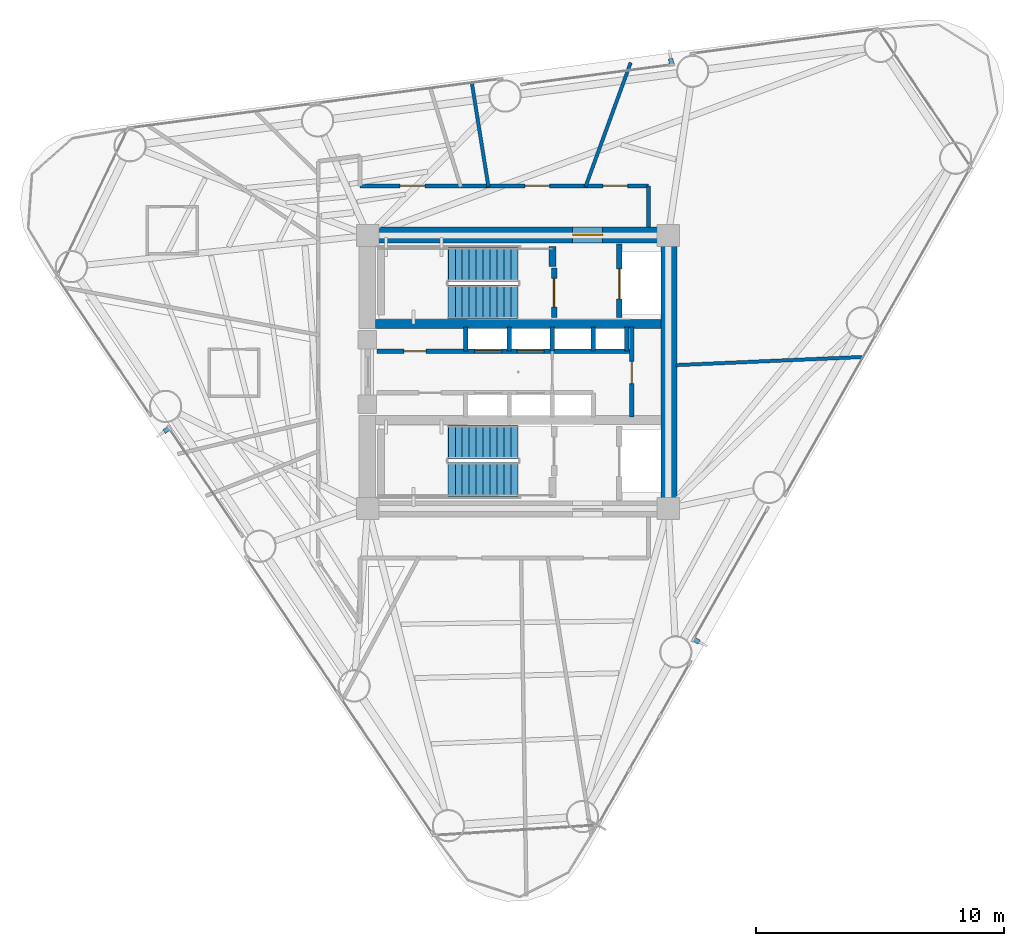
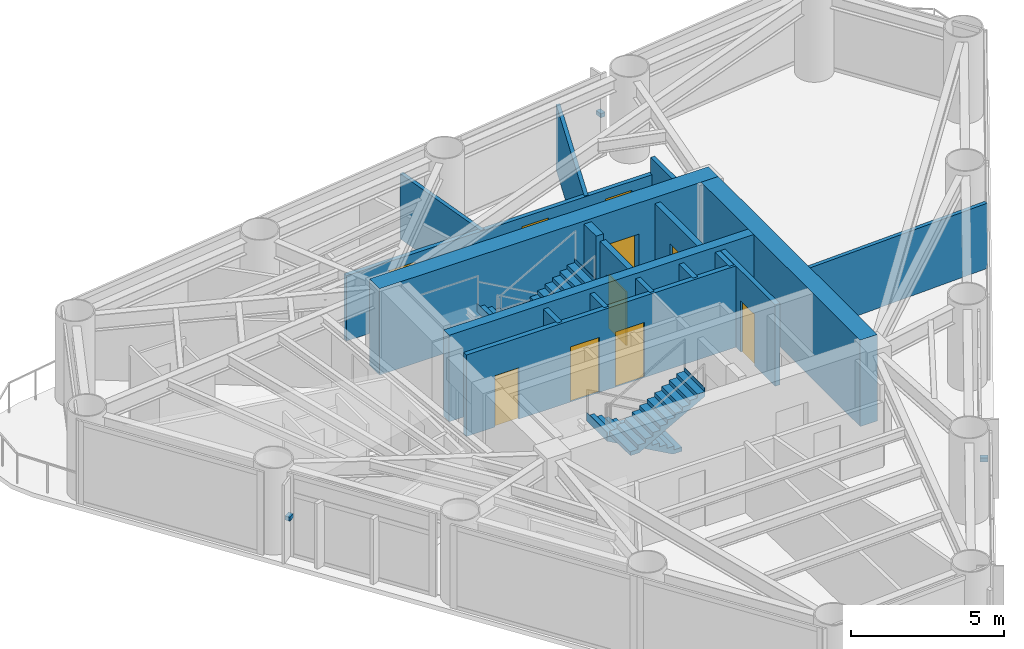
# One storey, part 6 of 10: 18 walls, 10 doors, 4 stair flights, 3 discrete accessories, 10 openings, 2 elements without a shape of their own.
"""IFC4 building model written with IfcOpenShell, lengths in metres."""

from ifc_helpers import new_model, si_unit, direction, frame, frame_2d, origin, origin_2d, place, context, subcontext, project, spatial, polyline, rectangle, outline, extrude, source, transform, mapped, material, layer, layer_set, type_object, element, fill, aggregate, save


model = new_model("IFC4")

# Units and contexts
model_context = context("Model", 3, precision=1e-05, world=origin(), true_north=direction((0.0, 1.0)))
body_context = subcontext(model_context, "Body", "Model", "MODEL_VIEW")
ifc_project = project(units=[si_unit("LENGTHUNIT", "METRE"), si_unit("AREAUNIT", "SQUARE_METRE"), si_unit("VOLUMEUNIT", "CUBIC_METRE"), si_unit("PLANEANGLEUNIT", "RADIAN"), si_unit("MASSUNIT", "GRAM", prefix="KILO")], contexts=[model_context])

# Site, building, storey
site_placement = place(None, origin())
site = spatial("IfcSite", under=ifc_project, at=site_placement, CompositionType="ELEMENT")
building_placement = place(site_placement, origin())
building = spatial("IfcBuilding", under=site, at=building_placement, Name="Yunling Apex Tower", CompositionType="ELEMENT")
storey_placement = place(building_placement, frame((0.0, 0.0, 158.75)))
storey = spatial("IfcBuildingStorey", under=building, at=storey_placement, Name="L38", CompositionType="ELEMENT", Elevation=158.75)

# Wall, opening, door
ifc_material_1 = material(Name="Concrete C50", Category="concrete")
ifc_layer_1 = layer(ifc_material_1, 0.64990234375)
ifc_layer_set_1 = layer_set([ifc_layer_1], Name="Concrete C50")
wall_type_1 = type_object("IfcWallType", Name="WL-COR-2", PredefinedType="SHEAR", material=ifc_layer_set_1)
wall_1_placement = place(storey_placement, frame((-6.39990234375, 5.52490234375, 0.0), z_axis=(0.0, 0.0, 1.0), x_axis=(1.0, 0.0, 0.0)))
wall_1 = element("IfcWall", 1, at=wall_1_placement, inside=storey, type_object=wall_type_1, Name="L38 North Core Shear Wall", PredefinedType="SHEAR", context=body_context, shape_type="SweptSolid", body=[
    extrude(rectangle(XDim=12.7998046875, YDim=0.64990234375, at=frame_2d((6.39990234375, 0.0))), origin(), (0.0, 0.0, 1.0), 3.449951171875),
])
opening_1_placement = place(wall_1_placement, frame((8.60009765625, 0.0, 0.0)))
opening_1 = element("IfcOpeningElement", 2, at=opening_1_placement, cuts=wall_1, Name="Opening DR-FFL-1", PredefinedType="OPENING", context=body_context, shape_type="SweptSolid", body=[
    extrude(rectangle(XDim=1.199951171875, YDim=2.199951171875, at=frame_2d((0.60009765625, 1.10009765625))), frame((0.0, 0.3349609375, 0.0), z_axis=(0.0, -1.0, 0.0), x_axis=(1.0, 0.0, 0.0)), (0.0, 0.0, 1.0), 0.669921875),
])
ifc_material_2 = material(Name="Steel Q355B", Category="steel")
door_type_1 = type_object("IfcDoorType", Name="DR-FFL-1", OperationType="NOTDEFINED", PredefinedType="DOOR", material=ifc_material_2)
door_1_placement = place(opening_1_placement, origin())
door_1 = element("IfcDoor", 3, at=door_1_placement, inside=storey, type_object=door_type_1, Name="L38 North Firefighting Lobby Door", OperationType="SINGLE_SWING_LEFT", OverallHeight=2.199951171875, OverallWidth=1.199951171875, PredefinedType="DOOR", context=body_context, shape_type="SweptSolid", body=[
    extrude(rectangle(XDim=1.199951171875, YDim=2.199951171875, at=frame_2d((0.60009765625, 1.10009765625))), frame((0.0, 0.02490234375, 0.0), z_axis=(0.0, -1.0, 0.0), x_axis=(1.0, 0.0, 0.0)), (0.0, 0.0, 1.0), 0.050048828125),
])
fill(opening_1, door_1)

# Walls
wall_2_placement = place(storey_placement, frame((6.074951171875, -5.199951171875, 0.0), z_axis=(0.0, 0.0, 1.0), x_axis=(0.0, 1.0, 0.0)))
element("IfcWall", 4, at=wall_2_placement, inside=storey, type_object=wall_type_1, Name="L38 East Core Shear Wall", PredefinedType="SHEAR", context=body_context, shape_type="SweptSolid", body=[
    extrude(rectangle(XDim=10.39990234375, YDim=0.64990234375, at=frame_2d((5.199951171875, 0.0))), origin(), (0.0, 0.0, 1.0), 3.449951171875),
])
ifc_material_3 = material(Name="Concrete C40", Category="concrete")
ifc_layer_2 = layer(ifc_material_3, 0.360107421875)
ifc_layer_set_2 = layer_set([ifc_layer_2], Name="Concrete C40")
wall_type_2 = type_object("IfcWallType", Name="WL-COR-4", PredefinedType="SHEAR", material=ifc_layer_set_2)
wall_3_placement = place(storey_placement, frame((-5.75, 1.93994140625, 0.0), z_axis=(0.0, 0.0, 1.0), x_axis=(1.0, 0.0, 0.0)))
element("IfcWall", 5, at=wall_3_placement, inside=storey, type_object=wall_type_2, Name="L38 North Internal Core Shear Wall", PredefinedType="SHEAR", context=body_context, shape_type="SweptSolid", body=[
    extrude(rectangle(XDim=11.5, YDim=0.360107421875, at=frame_2d((5.75, 0.0))), origin(), (0.0, 0.0, 1.0), 3.449951171875),
])
ifc_layer_3 = layer(ifc_material_3, 0.280029296875)
ifc_layer_set_3 = layer_set([ifc_layer_3], Name="Concrete C40")
wall_type_3 = type_object("IfcWallType", Name="WL-COR-8", PredefinedType="SHEAR", material=ifc_layer_set_3)
wall_4_placement = place(storey_placement, frame((1.3798828125, 4.25, 0.0), z_axis=(0.0, 0.0, 1.0), x_axis=(0.0, 1.0, 0.0)))
element("IfcWall", 6, at=wall_4_placement, inside=storey, type_object=wall_type_3, Name="L38 ST-1 East Landing Bearing Pier", PredefinedType="SHEAR", context=body_context, shape_type="SweptSolid", body=[
    extrude(rectangle(XDim=0.800048828125, YDim=0.280029296875, at=frame_2d((0.39990234375, 0.0))), origin(), (0.0, 0.0, 1.0), 3.449951171875),
])

# Wall, openings, doors
ifc_material_4 = material(Name="Gypsum board acoustic partition")
ifc_layer_4 = layer(ifc_material_4, 0.159912109375)
ifc_layer_set_4 = layer_set([ifc_layer_4], Name="Gypsum board acoustic partition")
wall_type_4 = type_object("IfcWallType", Name="WL-PRT-1", PredefinedType="PARTITIONING", material=ifc_layer_set_4)
wall_5_placement = place(storey_placement, frame((-6.360107421875, 7.5, 0.0), z_axis=(0.0, 0.0, 1.0), x_axis=(1.0, 0.0, 0.0)))
wall_5 = element("IfcWall", 7, at=wall_5_placement, inside=storey, type_object=wall_type_4, Name="WL-CORR-L38-07", PredefinedType="PARTITIONING", context=body_context, shape_type="SweptSolid", body=[
    extrude(rectangle(XDim=11.610107421875, YDim=0.159912109375, at=frame_2d((5.80517578125, 0.0))), origin(), (0.0, 0.0, 1.0), 2.60498046875),
])
opening_2_placement = place(wall_5_placement, frame((1.600341796875, 0.0, 0.0)))
opening_2 = element("IfcOpeningElement", 8, at=opening_2_placement, cuts=wall_5, Name="Opening DR-OFF-1", PredefinedType="OPENING", context=body_context, shape_type="SweptSolid", body=[
    extrude(rectangle(XDim=1.0, YDim=2.25, at=frame_2d((0.5, 1.125))), frame((0.0, 0.08984375, 0.0), z_axis=(0.0, -1.0, 0.0), x_axis=(1.0, 0.0, 0.0)), (0.0, 0.0, 1.0), 0.179931640625),
])
opening_3_placement = place(wall_5_placement, frame((6.63134765625, 0.0, 0.0)))
opening_3 = element("IfcOpeningElement", 9, at=opening_3_placement, cuts=wall_5, Name="Opening DR-OFF-1", PredefinedType="OPENING", context=body_context, shape_type="SweptSolid", body=[
    extrude(rectangle(XDim=1.0, YDim=2.25, at=frame_2d((0.5, 1.125))), frame((0.0, 0.08984375, 0.0), z_axis=(0.0, -1.0, 0.0), x_axis=(1.0, 0.0, 0.0)), (0.0, 0.0, 1.0), 0.179931640625),
])
opening_4_placement = place(wall_5_placement, frame((9.77294921875, 0.0, 0.0)))
opening_4 = element("IfcOpeningElement", 10, at=opening_4_placement, cuts=wall_5, Name="Opening DR-OFF-1", PredefinedType="OPENING", context=body_context, shape_type="SweptSolid", body=[
    extrude(rectangle(XDim=1.0, YDim=2.25, at=frame_2d((0.5, 1.125))), frame((0.0, 0.08984375, 0.0), z_axis=(0.0, -1.0, 0.0), x_axis=(1.0, 0.0, 0.0)), (0.0, 0.0, 1.0), 0.179931640625),
])
ifc_material_5 = material(Name="Bronze anodised aluminium", Category="aluminium")
door_type_2 = type_object("IfcDoorType", Name="DR-OFF-1", OperationType="NOTDEFINED", PredefinedType="DOOR", material=ifc_material_5)
door_2_placement = place(opening_2_placement, origin())
door_2 = element("IfcDoor", 11, at=door_2_placement, inside=storey, type_object=door_type_2, Name="L38 Club Lounge Door", OperationType="SINGLE_SWING_RIGHT", OverallHeight=2.25, OverallWidth=1.0, PredefinedType="DOOR", context=body_context, shape_type="SweptSolid", body=[
    extrude(rectangle(XDim=1.0, YDim=2.25, at=frame_2d((0.5, 1.125))), frame((0.0, 0.02490234375, 0.0), z_axis=(0.0, -1.0, 0.0), x_axis=(1.0, 0.0, 0.0)), (0.0, 0.0, 1.0), 0.050048828125),
])
fill(opening_2, door_2)
door_3_placement = place(opening_3_placement, origin())
door_3 = element("IfcDoor", 12, at=door_3_placement, inside=storey, type_object=door_type_2, Name="L38 Club Lounge Door", OperationType="SINGLE_SWING_LEFT", OverallHeight=2.25, OverallWidth=1.0, PredefinedType="DOOR", context=body_context, shape_type="SweptSolid", body=[
    extrude(rectangle(XDim=1.0, YDim=2.25, at=frame_2d((0.5, 1.125))), frame((0.0, 0.02490234375, 0.0), z_axis=(0.0, -1.0, 0.0), x_axis=(1.0, 0.0, 0.0)), (0.0, 0.0, 1.0), 0.050048828125),
])
fill(opening_3, door_3)
door_4_placement = place(opening_4_placement, origin())
door_4 = element("IfcDoor", 13, at=door_4_placement, inside=storey, type_object=door_type_2, Name="L38 Club Lounge Door", OperationType="SINGLE_SWING_RIGHT", OverallHeight=2.25, OverallWidth=1.0, PredefinedType="DOOR", context=body_context, shape_type="SweptSolid", body=[
    extrude(rectangle(XDim=1.0, YDim=2.25, at=frame_2d((0.5, 1.125))), frame((0.0, 0.02490234375, 0.0), z_axis=(0.0, -1.0, 0.0), x_axis=(1.0, 0.0, 0.0)), (0.0, 0.0, 1.0), 0.050048828125),
])
fill(opening_4, door_4)

# Walls
wall_6_placement = place(storey_placement, frame((5.25, 7.5, 0.0), z_axis=(0.0, 0.0, 1.0), x_axis=(0.0, -1.0, 0.0)))
element("IfcWall", 14, at=wall_6_placement, inside=storey, type_object=wall_type_4, Name="WL-CORR-L38-08", PredefinedType="PARTITIONING", context=body_context, shape_type="SweptSolid", body=[
    extrude(rectangle(XDim=1.64990234375, YDim=0.159912109375, at=frame_2d((0.824951171875, 0.0))), origin(), (0.0, 0.0, 1.0), 3.25),
])
ifc_layer_5 = layer(ifc_material_4, 0.139892578125)
ifc_layer_set_5 = layer_set([ifc_layer_5], Name="Gypsum board acoustic partition")
wall_type_5 = type_object("IfcWallType", Name="WL-PRT-2", PredefinedType="PARTITIONING", material=ifc_layer_set_5)
wall_7_placement = place(storey_placement, frame((6.360107421875, 0.277587890625, 0.0), z_axis=(0.0, 0.0, 1.0), x_axis=(0.999047543566, 0.043634913719, 0.0)))
element("IfcWall", 15, at=wall_7_placement, inside=storey, type_object=wall_type_5, Name="WL-RAD-L38-01", PredefinedType="PARTITIONING", context=body_context, shape_type="SweptSolid", body=[
    extrude(rectangle(XDim=7.5029296875, YDim=0.139892578125, at=frame_2d((3.75146484375, 0.0))), origin(), (0.0, 0.0, 1.0), 2.60498046875),
])
wall_8_placement = place(storey_placement, frame((2.715087890625, 7.4599609375, 0.0), z_axis=(0.0, 0.0, 1.0), x_axis=(0.342045165819, 0.939683512966, 0.0)))
element("IfcWall", 16, at=wall_8_placement, inside=storey, type_object=wall_type_5, Name="WL-RAD-L38-02", PredefinedType="PARTITIONING", context=body_context, shape_type="SweptSolid", body=[
    extrude(rectangle(XDim=5.3203125, YDim=0.139892578125, at=frame_2d((2.66015625, 0.0))), origin(), (0.0, 0.0, 1.0), 2.60498046875),
])
wall_9_placement = place(storey_placement, frame((-1.193603515625, 7.4599609375, 0.0), z_axis=(0.0, 0.0, 1.0), x_axis=(-0.157995028697, 0.987439907492, 0.0)))
element("IfcWall", 17, at=wall_9_placement, inside=storey, type_object=wall_type_5, Name="WL-RAD-L38-03", PredefinedType="PARTITIONING", context=body_context, shape_type="SweptSolid", body=[
    extrude(rectangle(XDim=4.2060546875, YDim=0.139892578125, at=frame_2d((2.10302734375, 0.0))), origin(), (0.0, 0.0, 1.0), 2.60498046875),
])

# Wall, opening, door
ifc_material_6 = material(Name="Autoclaved aerated concrete masonry", Category="masonry")
ifc_layer_6 = layer(ifc_material_6, 0.219970703125)
ifc_layer_set_6 = layer_set([ifc_layer_6], Name="Autoclaved aerated concrete masonry")
wall_type_6 = type_object("IfcWallType", Name="WL-SHF-1", PredefinedType="PLUMBINGWALL", material=ifc_layer_set_6)
wall_10_placement = place(storey_placement, frame((1.449951171875, 2.199951171875, 0.0), z_axis=(0.0, 0.0, 1.0), x_axis=(0.0, 1.0, 0.0)))
wall_10 = element("IfcWall", 18, at=wall_10_placement, inside=storey, type_object=wall_type_6, Name="WL-ST1-E-L38", PredefinedType="PLUMBINGWALL", context=body_context, shape_type="SweptSolid", body=[
    extrude(rectangle(XDim=1.97998046875, YDim=0.219970703125, at=frame_2d((0.989990234375, 0.0))), origin(), (0.0, 0.0, 1.0), 3.25),
])
opening_5_placement = place(wall_10_placement, frame((0.419921875, 0.0, 0.0)))
opening_5 = element("IfcOpeningElement", 19, at=opening_5_placement, cuts=wall_10, Name="Opening DR-ST-1", PredefinedType="OPENING", context=body_context, shape_type="SweptSolid", body=[
    extrude(rectangle(XDim=1.14990234375, YDim=2.14990234375, at=frame_2d((0.574951171875, 1.074951171875))), frame((0.0, 0.1201171875, 0.0), z_axis=(0.0, -1.0, 0.0), x_axis=(1.0, 0.0, 0.0)), (0.0, 0.0, 1.0), 0.239990234375),
])
door_type_3 = type_object("IfcDoorType", Name="DR-ST-1", OperationType="NOTDEFINED", PredefinedType="DOOR", material=ifc_material_2)
door_5_placement = place(opening_5_placement, origin())
door_5 = element("IfcDoor", 20, at=door_5_placement, inside=storey, type_object=door_type_3, Name="L38 Stair ST-1 Fire Door", OperationType="SINGLE_SWING_RIGHT", OverallHeight=2.14990234375, OverallWidth=1.14990234375, PredefinedType="DOOR", context=body_context, shape_type="SweptSolid", body=[
    extrude(rectangle(XDim=1.14990234375, YDim=2.14990234375, at=frame_2d((0.574951171875, 1.074951171875))), frame((0.0, 0.02490234375, 0.0), z_axis=(0.0, -1.0, 0.0), x_axis=(1.0, 0.0, 0.0)), (0.0, 0.0, 1.0), 0.050048828125),
])
fill(opening_5, door_5)

wall_11_placement = place(storey_placement, frame((4.080078125, 2.199951171875, 0.0), z_axis=(0.0, 0.0, 1.0), x_axis=(0.0, 1.0, 0.0)))
wall_11 = element("IfcWall", 21, at=wall_11_placement, inside=storey, type_object=wall_type_6, Name="WL-FFL1-W-L38", PredefinedType="PLUMBINGWALL", context=body_context, shape_type="SweptSolid", body=[
    extrude(rectangle(XDim=2.949951171875, YDim=0.219970703125, at=frame_2d((1.47509765625, 0.0))), origin(), (0.0, 0.0, 1.0), 3.25),
])
opening_6_placement = place(wall_11_placement, frame((0.75, 0.0, 0.0)))
opening_6 = element("IfcOpeningElement", 22, at=opening_6_placement, cuts=wall_11, Name="Opening LD-FFL-1", PredefinedType="OPENING", context=body_context, shape_type="SweptSolid", body=[
    extrude(rectangle(XDim=1.199951171875, YDim=2.25, at=frame_2d((0.60009765625, 1.125))), frame((0.0, 0.1201171875, 0.0), z_axis=(0.0, -1.0, 0.0), x_axis=(1.0, 0.0, 0.0)), (0.0, 0.0, 1.0), 0.239990234375),
])
door_type_4 = type_object("IfcDoorType", Name="LD-FFL-1", OperationType="DOUBLE_DOOR_SLIDING", PredefinedType="DOOR", material=ifc_material_2)
door_6_placement = place(opening_6_placement, origin())
door_6 = element("IfcDoor", 23, at=door_6_placement, inside=storey, type_object=door_type_4, Name="L38 Lift FFL-1 Landing Door", OperationType="DOUBLE_DOOR_SLIDING", OverallHeight=2.25, OverallWidth=1.199951171875, PredefinedType="DOOR", context=body_context, shape_type="SweptSolid", body=[
    extrude(rectangle(XDim=1.199951171875, YDim=2.25, at=frame_2d((0.60009765625, 1.125))), frame((0.0, 0.02490234375, 0.0), z_axis=(0.0, -1.0, 0.0), x_axis=(1.0, 0.0, 0.0)), (0.0, 0.0, 1.0), 0.050048828125),
])
fill(opening_6, door_6)

# Walls
ifc_layer_7 = layer(ifc_material_6, 0.179931640625)
ifc_layer_set_7 = layer_set([ifc_layer_7], Name="Autoclaved aerated concrete masonry")
wall_type_7 = type_object("IfcWallType", Name="WL-SHF-2", PredefinedType="PLUMBINGWALL", material=ifc_layer_set_7)
for number, where, z_axis, x_axis, name in (
    (24, (-2.10009765625, 0.840087890625, 0.0), (0.0, 0.0, 1.0), (0.0, 1.0, 0.0), "WL-BNK-LM-N-L38"),
    (25, (-0.35009765625, 0.840087890625, 0.0), (0.0, 0.0, 1.0), (0.0, 1.0, 0.0), "WL-DIV-M12-L38"),
    (26, (1.3798828125, 0.840087890625, 0.0), (0.0, 0.0, 1.0), (0.0, 1.0, 0.0), "WL-BNK-MH-N-L38"),
    (27, (3.02001953125, 0.840087890625, 0.0), (0.0, 0.0, 1.0), (0.0, 1.0, 0.0), "WL-DIV-H13-L38"),
    (28, (4.3798828125, 0.840087890625, 0.0), (0.0, 0.0, 1.0), (0.0, 1.0, 0.0), "WL-END-H3E-L38"),
):
    element("IfcWall", number, at=place(storey_placement, frame(where, z_axis=z_axis, x_axis=x_axis)), inside=storey, type_object=wall_type_7, Name=name, PredefinedType="PLUMBINGWALL", context=body_context, shape_type="SweptSolid", body=[
        extrude(rectangle(XDim=0.97998046875, YDim=0.179931640625, at=frame_2d((0.489990234375, 0.0))), origin(), (0.0, 0.0, 1.0), 3.25),
    ])

# Wall, opening, door
wall_12_placement = place(storey_placement, frame((4.580078125, -1.820068359375, 0.0), z_axis=(0.0, 0.0, 1.0), x_axis=(0.0, 1.0, 0.0)))
wall_12 = element("IfcWall", 29, at=wall_12_placement, inside=storey, type_object=wall_type_7, Name="WL-KBE-W-L38", PredefinedType="PLUMBINGWALL", context=body_context, shape_type="SweptSolid", body=[
    extrude(rectangle(XDim=3.64013671875, YDim=0.179931640625, at=frame_2d((1.820068359375, 0.0))), origin(), (0.0, 0.0, 1.0), 3.25),
])
opening_7_placement = place(wall_12_placement, frame((1.35009765625, 0.0, 0.0)))
opening_7 = element("IfcOpeningElement", 30, at=opening_7_placement, cuts=wall_12, Name="Opening DR-SHF-1", PredefinedType="OPENING", context=body_context, shape_type="SweptSolid", body=[
    extrude(rectangle(XDim=0.89990234375, YDim=2.050048828125, at=frame_2d((0.449951171875, 1.02490234375))), frame((0.0, 0.10009765625, 0.0), z_axis=(0.0, -1.0, 0.0), x_axis=(1.0, 0.0, 0.0)), (0.0, 0.0, 1.0), 0.199951171875),
])
door_type_5 = type_object("IfcDoorType", Name="DR-SHF-1", OperationType="NOTDEFINED", PredefinedType="DOOR", material=ifc_material_2)
door_7_placement = place(opening_7_placement, origin())
door_7 = element("IfcDoor", 31, at=door_7_placement, inside=storey, type_object=door_type_5, Name="L38 Core Meter Room Door", OperationType="SINGLE_SWING_LEFT", OverallHeight=2.050048828125, OverallWidth=0.89990234375, PredefinedType="DOOR", context=body_context, shape_type="SweptSolid", body=[
    extrude(rectangle(XDim=0.89990234375, YDim=2.050048828125, at=frame_2d((0.449951171875, 1.02490234375))), frame((0.0, 0.02490234375, 0.0), z_axis=(0.0, -1.0, 0.0), x_axis=(1.0, 0.0, 0.0)), (0.0, 0.0, 1.0), 0.050048828125),
])
fill(opening_7, door_7)

# Wall, openings, doors
wall_13_placement = place(storey_placement, frame((-5.679931640625, 0.840087890625, 0.0), z_axis=(0.0, 0.0, 1.0), x_axis=(1.0, 0.0, 0.0)))
wall_13 = element("IfcWall", 32, at=wall_13_placement, inside=storey, type_object=wall_type_7, Name="WL-LOB-N-L38", PredefinedType="PLUMBINGWALL", context=body_context, shape_type="SweptSolid", body=[
    extrude(rectangle(XDim=10.260009765625, YDim=0.179931640625, at=frame_2d((5.1298828125, 0.0))), origin(), (0.0, 0.0, 1.0), 3.25),
])
opening_8_placement = place(wall_13_placement, frame((1.080078125, 0.0, 0.0)))
opening_8 = element("IfcOpeningElement", 33, at=opening_8_placement, cuts=wall_13, Name="Opening DR-SHF-1", PredefinedType="OPENING", context=body_context, shape_type="SweptSolid", body=[
    extrude(rectangle(XDim=0.89990234375, YDim=2.050048828125, at=frame_2d((0.449951171875, 1.02490234375))), frame((0.0, 0.10009765625, 0.0), z_axis=(0.0, -1.0, 0.0), x_axis=(1.0, 0.0, 0.0)), (0.0, 0.0, 1.0), 0.199951171875),
])
opening_9_placement = place(wall_13_placement, frame((3.929931640625, 0.0, 0.0)))
opening_9 = element("IfcOpeningElement", 34, at=opening_9_placement, cuts=wall_13, Name="Opening LD-PAS-1", PredefinedType="OPENING", context=body_context, shape_type="SweptSolid", body=[
    extrude(rectangle(XDim=1.10009765625, YDim=2.199951171875, at=frame_2d((0.550048828125, 1.10009765625))), frame((0.0, 0.10009765625, 0.0), z_axis=(0.0, -1.0, 0.0), x_axis=(1.0, 0.0, 0.0)), (0.0, 0.0, 1.0), 0.199951171875),
])
opening_10_placement = place(wall_13_placement, frame((5.6298828125, 0.0, 0.0)))
opening_10 = element("IfcOpeningElement", 35, at=opening_10_placement, cuts=wall_13, Name="Opening LD-PAS-1", PredefinedType="OPENING", context=body_context, shape_type="SweptSolid", body=[
    extrude(rectangle(XDim=1.10009765625, YDim=2.199951171875, at=frame_2d((0.550048828125, 1.10009765625))), frame((0.0, 0.10009765625, 0.0), z_axis=(0.0, -1.0, 0.0), x_axis=(1.0, 0.0, 0.0)), (0.0, 0.0, 1.0), 0.199951171875),
])
door_8_placement = place(opening_8_placement, origin())
door_8 = element("IfcDoor", 36, at=door_8_placement, inside=storey, type_object=door_type_5, Name="L38 BMS Plant Door", OperationType="SINGLE_SWING_RIGHT", OverallHeight=2.050048828125, OverallWidth=0.89990234375, PredefinedType="DOOR", context=body_context, shape_type="SweptSolid", body=[
    extrude(rectangle(XDim=0.89990234375, YDim=2.050048828125, at=frame_2d((0.449951171875, 1.02490234375))), frame((0.0, 0.02490234375, 0.0), z_axis=(0.0, -1.0, 0.0), x_axis=(1.0, 0.0, 0.0)), (0.0, 0.0, 1.0), 0.050048828125),
])
fill(opening_8, door_8)
ifc_material_7 = material(Name="Silver anodised aluminium", Category="aluminium")
door_type_6 = type_object("IfcDoorType", Name="LD-PAS-1", OperationType="DOUBLE_DOOR_SLIDING", PredefinedType="DOOR", material=ifc_material_7)
door_9_placement = place(opening_9_placement, origin())
door_9 = element("IfcDoor", 37, at=door_9_placement, inside=storey, type_object=door_type_6, Name="L38 Lift PL-M1 Landing Door", OperationType="DOUBLE_DOOR_SLIDING", OverallHeight=2.199951171875, OverallWidth=1.10009765625, PredefinedType="DOOR", context=body_context, shape_type="SweptSolid", body=[
    extrude(rectangle(XDim=1.10009765625, YDim=2.199951171875, at=frame_2d((0.550048828125, 1.10009765625))), frame((0.0, 0.02490234375, 0.0), z_axis=(0.0, -1.0, 0.0), x_axis=(1.0, 0.0, 0.0)), (0.0, 0.0, 1.0), 0.050048828125),
])
fill(opening_9, door_9)
door_10_placement = place(opening_10_placement, origin())
door_10 = element("IfcDoor", 38, at=door_10_placement, inside=storey, type_object=door_type_6, Name="L38 Lift PL-M2 Landing Door", OperationType="DOUBLE_DOOR_SLIDING", OverallHeight=2.199951171875, OverallWidth=1.10009765625, PredefinedType="DOOR", context=body_context, shape_type="SweptSolid", body=[
    extrude(rectangle(XDim=1.10009765625, YDim=2.199951171875, at=frame_2d((0.550048828125, 1.10009765625))), frame((0.0, 0.02490234375, 0.0), z_axis=(0.0, -1.0, 0.0), x_axis=(1.0, 0.0, 0.0)), (0.0, 0.0, 1.0), 0.050048828125),
])
fill(opening_10, door_10)

# Stair, stair flights
stair_type = type_object("IfcStairType", Name="ST-TWR-2", PredefinedType="HALF_TURN_STAIR", material=ifc_material_3)
stair_1_placement = place(storey_placement, origin())
stair_1 = element("IfcStair", 39, at=stair_1_placement, inside=storey, type_object=stair_type, Name="L38 North Core Smokeproof Exit Stair ST-1", PredefinedType="HALF_TURN_STAIR")
stair_flight_type = type_object("IfcStairFlightType", Name="SFL-TWR-2", PredefinedType="STRAIGHT", material=ifc_material_3)
stair_flight_1_placement = place(storey_placement, frame((-0.010009765625, 4.330078125, 0.0), z_axis=(0.0, 0.0, 1.0), x_axis=(-1.0, 0.0, 0.0)))
stair_flight_1 = element("IfcStairFlight", 40, at=stair_flight_1_placement, type_object=stair_flight_type, Name="ST-1 flight 1", NumberOfRisers=11, NumberOfTreads=10, PredefinedType="STRAIGHT", RiserHeight=0.156818182, TreadLength=0.28, context=body_context, shape_type="SweptSolid", body=[
    extrude(outline(polyline([(-0.011962890625, 0.0), (-0.011962890625, 0.15673828125), (0.0, 0.15673828125), (0.280029296875, 0.15673828125), (0.280029296875, 0.313720703125), (0.56005859375, 0.313720703125), (0.56005859375, 0.470458984375), (0.840087890625, 0.470458984375), (0.840087890625, 0.627197265625), (1.1201171875, 0.627197265625), (1.1201171875, 0.7841796875), (1.39990234375, 0.7841796875), (1.39990234375, 0.94091796875), (1.679931640625, 0.94091796875), (1.679931640625, 1.09765625), (1.9599609375, 1.09765625), (1.9599609375, 1.254638671875), (2.239990234375, 1.254638671875), (2.239990234375, 1.411376953125), (2.52001953125, 1.411376953125), (2.52001953125, 1.568115234375), (2.800048828125, 1.568115234375), (2.800048828125, 1.72509765625), (2.81201171875, 1.72509765625), (2.81201171875, 1.385009765625), (0.3271484375, 0.0), (-0.011962890625, 0.0)])), frame((0.0, 0.68017578125, 0.0), z_axis=(0.0, -1.0, 0.0), x_axis=(1.0, 0.0, 0.0)), (0.0, 0.0, 1.0), 1.360107421875),
])
stair_flight_2_placement = place(storey_placement, frame((-2.81005859375, 2.820068359375, 1.72509765625), z_axis=(0.0, 0.0, 1.0), x_axis=(1.0, 0.0, 0.0)))
stair_flight_2 = element("IfcStairFlight", 41, at=stair_flight_2_placement, type_object=stair_flight_type, Name="ST-1 flight 2", NumberOfRisers=11, NumberOfTreads=10, PredefinedType="STRAIGHT", RiserHeight=0.156818182, TreadLength=0.28, context=body_context, shape_type="SweptSolid", body=[
    extrude(outline(polyline([(-0.011962890625, 0.0), (-0.011962890625, 0.15673828125), (0.0, 0.15673828125), (0.280029296875, 0.15673828125), (0.280029296875, 0.313720703125), (0.56005859375, 0.313720703125), (0.56005859375, 0.470458984375), (0.840087890625, 0.470458984375), (0.840087890625, 0.627197265625), (1.1201171875, 0.627197265625), (1.1201171875, 0.7841796875), (1.39990234375, 0.7841796875), (1.39990234375, 0.94091796875), (1.679931640625, 0.94091796875), (1.679931640625, 1.09765625), (1.9599609375, 1.09765625), (1.9599609375, 1.254638671875), (2.239990234375, 1.254638671875), (2.239990234375, 1.411376953125), (2.52001953125, 1.411376953125), (2.52001953125, 1.568115234375), (2.800048828125, 1.568115234375), (2.800048828125, 1.72509765625), (2.81201171875, 1.72509765625), (2.81201171875, 1.385009765625), (0.3271484375, 0.0), (-0.011962890625, 0.0)])), frame((0.0, 0.68017578125, 0.0), z_axis=(0.0, -1.0, 0.0), x_axis=(1.0, 0.0, 0.0)), (0.0, 0.0, 1.0), 1.360107421875),
])
aggregate(stair_1, [stair_flight_1, stair_flight_2])

stair_2_placement = place(storey_placement, origin())
stair_2 = element("IfcStair", 42, at=stair_2_placement, inside=storey, type_object=stair_type, Name="L38 South Core Smokeproof Exit Stair ST-2", PredefinedType="HALF_TURN_STAIR")
stair_flight_3_placement = place(storey_placement, frame((-0.010009765625, -2.820068359375, 0.0), z_axis=(0.0, 0.0, 1.0), x_axis=(-1.0, 0.0, 0.0)))
stair_flight_3 = element("IfcStairFlight", 43, at=stair_flight_3_placement, type_object=stair_flight_type, Name="ST-2 flight 1", NumberOfRisers=11, NumberOfTreads=10, PredefinedType="STRAIGHT", RiserHeight=0.156818182, TreadLength=0.28, context=body_context, shape_type="SweptSolid", body=[
    extrude(outline(polyline([(-0.011962890625, 0.0), (-0.011962890625, 0.15673828125), (0.0, 0.15673828125), (0.280029296875, 0.15673828125), (0.280029296875, 0.313720703125), (0.56005859375, 0.313720703125), (0.56005859375, 0.470458984375), (0.840087890625, 0.470458984375), (0.840087890625, 0.627197265625), (1.1201171875, 0.627197265625), (1.1201171875, 0.7841796875), (1.39990234375, 0.7841796875), (1.39990234375, 0.94091796875), (1.679931640625, 0.94091796875), (1.679931640625, 1.09765625), (1.9599609375, 1.09765625), (1.9599609375, 1.254638671875), (2.239990234375, 1.254638671875), (2.239990234375, 1.411376953125), (2.52001953125, 1.411376953125), (2.52001953125, 1.568115234375), (2.800048828125, 1.568115234375), (2.800048828125, 1.72509765625), (2.81201171875, 1.72509765625), (2.81201171875, 1.385009765625), (0.3271484375, 0.0), (-0.011962890625, 0.0)])), frame((0.0, 0.68017578125, 0.0), z_axis=(0.0, -1.0, 0.0), x_axis=(1.0, 0.0, 0.0)), (0.0, 0.0, 1.0), 1.360107421875),
])
stair_flight_4_placement = place(storey_placement, frame((-2.81005859375, -4.330078125, 1.72509765625), z_axis=(0.0, 0.0, 1.0), x_axis=(1.0, 0.0, 0.0)))
stair_flight_4 = element("IfcStairFlight", 44, at=stair_flight_4_placement, type_object=stair_flight_type, Name="ST-2 flight 2", NumberOfRisers=11, NumberOfTreads=10, PredefinedType="STRAIGHT", RiserHeight=0.156818182, TreadLength=0.28, context=body_context, shape_type="SweptSolid", body=[
    extrude(outline(polyline([(-0.011962890625, 0.0), (-0.011962890625, 0.15673828125), (0.0, 0.15673828125), (0.280029296875, 0.15673828125), (0.280029296875, 0.313720703125), (0.56005859375, 0.313720703125), (0.56005859375, 0.470458984375), (0.840087890625, 0.470458984375), (0.840087890625, 0.627197265625), (1.1201171875, 0.627197265625), (1.1201171875, 0.7841796875), (1.39990234375, 0.7841796875), (1.39990234375, 0.94091796875), (1.679931640625, 0.94091796875), (1.679931640625, 1.09765625), (1.9599609375, 1.09765625), (1.9599609375, 1.254638671875), (2.239990234375, 1.254638671875), (2.239990234375, 1.411376953125), (2.52001953125, 1.411376953125), (2.52001953125, 1.568115234375), (2.800048828125, 1.568115234375), (2.800048828125, 1.72509765625), (2.81201171875, 1.72509765625), (2.81201171875, 1.385009765625), (0.3271484375, 0.0), (-0.011962890625, 0.0)])), frame((0.0, 0.68017578125, 0.0), z_axis=(0.0, -1.0, 0.0), x_axis=(1.0, 0.0, 0.0)), (0.0, 0.0, 1.0), 1.360107421875),
])
aggregate(stair_2, [stair_flight_3, stair_flight_4])

# Discrete accessories
discrete_accessory_type = type_object("IfcDiscreteAccessoryType", Name="BK-FIN-1", PredefinedType="BRACKET", material=ifc_material_2)
shared_shape = source(origin(), body_context, "Body", "SweptSolid", [
    extrude(rectangle(XDim=0.179931640625, YDim=0.260009765625, at=origin_2d()), origin(), (0.0, 0.0, 1.0), 0.159912109375),
])
for number, where, z_axis, x_axis, name in (
    (45, (7.177490234375, -10.814697265625, 1.55517578125), (0.0, 0.0, 1.0), (0.493031062956, 0.87001170737, 0.0), "CW-L38-F1-B2-BRK-01-1"),
    (46, (6.164794921875, 12.493408203125, 1.55517578125), (0.0, 0.0, 1.0), (-0.9913534953, -0.131218319443, 0.0), "CW-L38-F2-B2-BRK-01-1"),
    (47, (-14.15087890625, -2.33056640625, 1.55517578125), (0.0, 0.0, 1.0), (0.559192903471, -0.829037572555, 0.0), "CW-L38-F3-B2-BRK-01-1"),
):
    element("IfcDiscreteAccessory", number, at=place(storey_placement, frame(where, z_axis=z_axis, x_axis=x_axis)), inside=storey, type_object=discrete_accessory_type, Name=name, PredefinedType="BRACKET", context=body_context, shape_type="MappedRepresentation", body=[
        mapped(shared_shape, transform((0.0, 0.0, 0.0), scale=1.0)),
    ])

save(model, "model.ifc")
